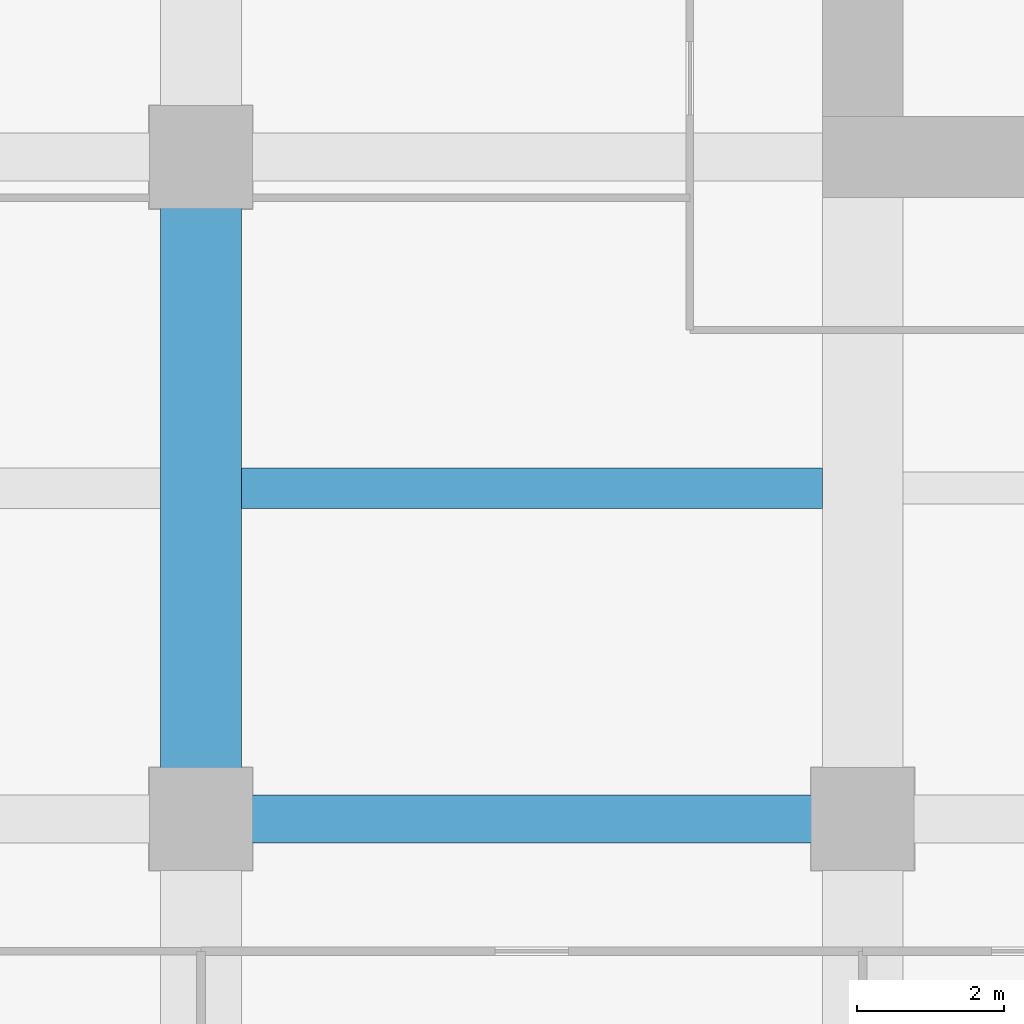
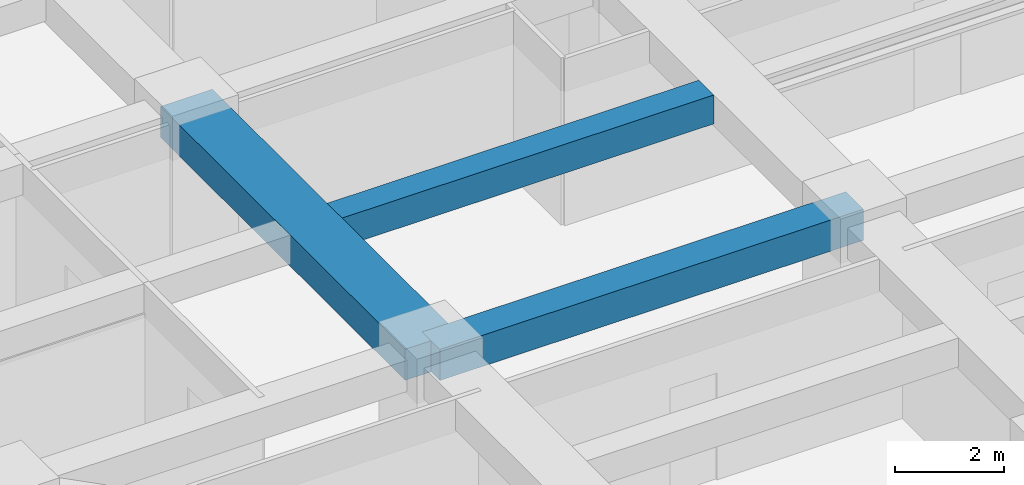
# One storey, part 5 of 34: 3 beams.
"""IFC4 building model written with IfcOpenShell, lengths in metres."""

from ifc_helpers import new_model, si_unit, direction, frame, origin, origin_2d, place, context, subcontext, project, spatial, rectangle, extrude, material, material_profile, profile_set, type_object, element, save


model = new_model("IFC4")

# Units and contexts
model_context = context("Model", 3, precision=1e-05, world=origin(), true_north=direction((0.0, 1.0)))
body_context = subcontext(model_context, "Body", "Model", "MODEL_VIEW")
ifc_project = project(units=[si_unit("LENGTHUNIT", "METRE"), si_unit("AREAUNIT", "SQUARE_METRE"), si_unit("VOLUMEUNIT", "CUBIC_METRE"), si_unit("PLANEANGLEUNIT", "RADIAN"), si_unit("MASSUNIT", "GRAM", prefix="KILO")], contexts=[model_context])

# Site, building, storey
site_placement = place(None, origin())
site = spatial("IfcSite", under=ifc_project, at=site_placement, CompositionType="ELEMENT")
building_placement = place(site_placement, origin())
building = spatial("IfcBuilding", under=site, at=building_placement, Name="Zorevar Civic Tower", CompositionType="ELEMENT")
storey_placement = place(building_placement, frame((0.0, 0.0, 214.199951171875)))
storey = spatial("IfcBuildingStorey", under=building, at=storey_placement, Name="L52", CompositionType="ELEMENT", Elevation=214.199951171875)

# Beams
ifc_material_1 = material(Name="Concrete C50/60", Category="concrete")
ifc_material_profile_1 = material_profile(ifc_material_1, rectangle(XDim=1.10009765625, YDim=0.699951171875, at=origin_2d()), Name="RC 1100x700")
ifc_profile_set_1 = profile_set([ifc_material_profile_1], Name="Concrete C50/60")
beam_type_1 = type_object("IfcBeamType", Name="Beam RC 1100x700", PredefinedType="BEAM", material=ifc_profile_set_1)
beam_1_placement = place(storey_placement, frame((9.0, 9.0, 3.400146484375), z_axis=(0.0, 1.0, 0.0), x_axis=(-1.0, 0.0, 0.0)))
element("IfcBeam", 1, at=beam_1_placement, inside=storey, type_object=beam_type_1, Name="Girder L53", PredefinedType="BEAM", context=body_context, shape_type="SweptSolid", body=[
    extrude(rectangle(XDim=1.10009765625, YDim=0.699951171875, at=origin_2d()), origin(), (0.0, 0.0, 1.0), 9.0),
])
ifc_material_2 = material(Name="Concrete C50/60", Category="concrete")
ifc_material_profile_2 = material_profile(ifc_material_2, rectangle(XDim=0.550048828125, YDim=0.64990234375, at=origin_2d()), Name="RC 550x650")
ifc_profile_set_2 = profile_set([ifc_material_profile_2], Name="Concrete C50/60")
beam_type_2 = type_object("IfcBeamType", Name="Beam RC 550x650", PredefinedType="BEAM", material=ifc_profile_set_2)
beam_2_placement = place(storey_placement, frame((9.550048828125, 13.5, 3.425048828125), z_axis=(1.0, 0.0, 0.0), x_axis=(0.0, 1.0, 0.0)))
element("IfcBeam", 2, at=beam_2_placement, inside=storey, type_object=beam_type_2, Name="Secondary beam L53", PredefinedType="BEAM", context=body_context, shape_type="SweptSolid", body=[
    extrude(rectangle(XDim=0.550048828125, YDim=0.64990234375, at=origin_2d()), origin(), (0.0, 0.0, 1.0), 7.89990234375),
])
ifc_material_3 = material(Name="Concrete C50/60", Category="concrete")
ifc_material_profile_3 = material_profile(ifc_material_3, rectangle(XDim=0.64990234375, YDim=0.699951171875, at=origin_2d()), Name="RC 650x700")
ifc_profile_set_3 = profile_set([ifc_material_profile_3], Name="Concrete C50/60")
beam_type_3 = type_object("IfcBeamType", Name="Beam RC 650x700", PredefinedType="BEAM", material=ifc_profile_set_3)
beam_3_placement = place(storey_placement, frame((9.0, 9.0, 3.400146484375), z_axis=(1.0, 0.0, 0.0), x_axis=(0.0, 1.0, 0.0)))
element("IfcBeam", 3, at=beam_3_placement, inside=storey, type_object=beam_type_3, Name="Girder L53", PredefinedType="BEAM", context=body_context, shape_type="SweptSolid", body=[
    extrude(rectangle(XDim=0.64990234375, YDim=0.699951171875, at=origin_2d()), origin(), (0.0, 0.0, 1.0), 9.0),
])

save(model, "model.ifc")
